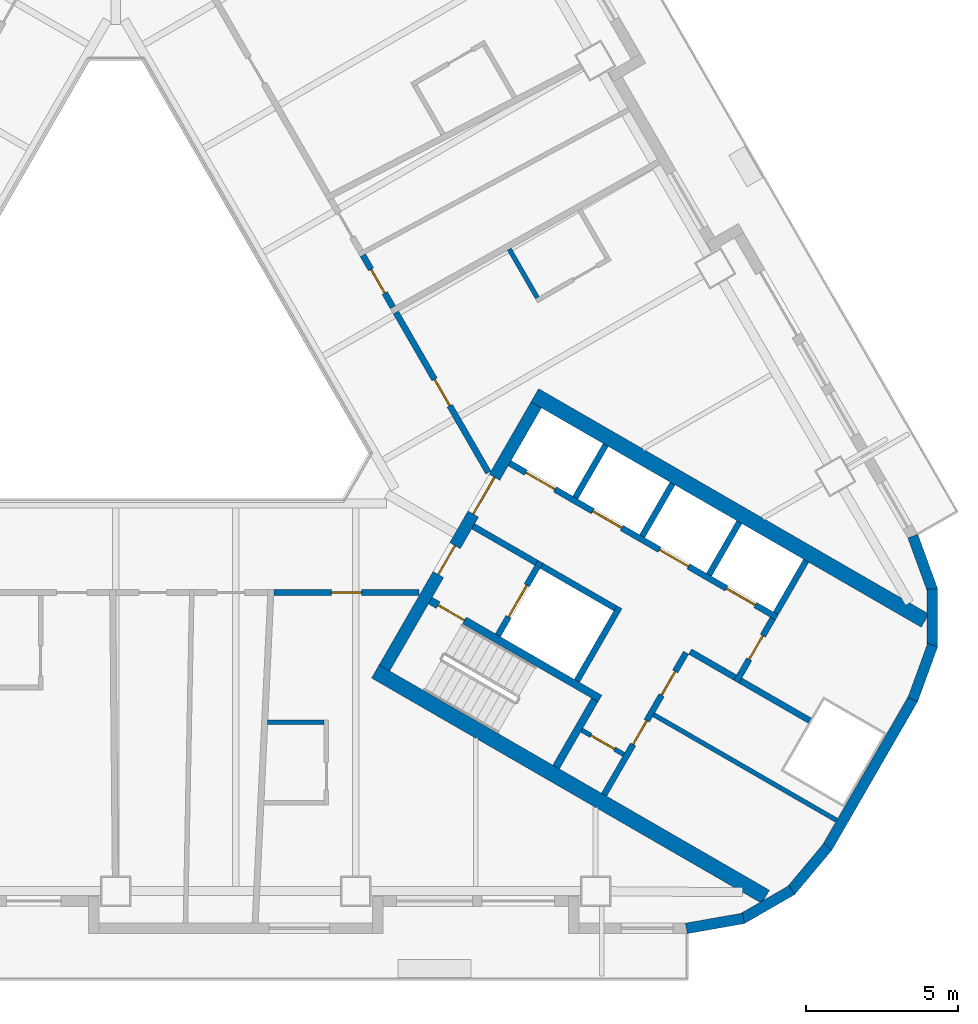
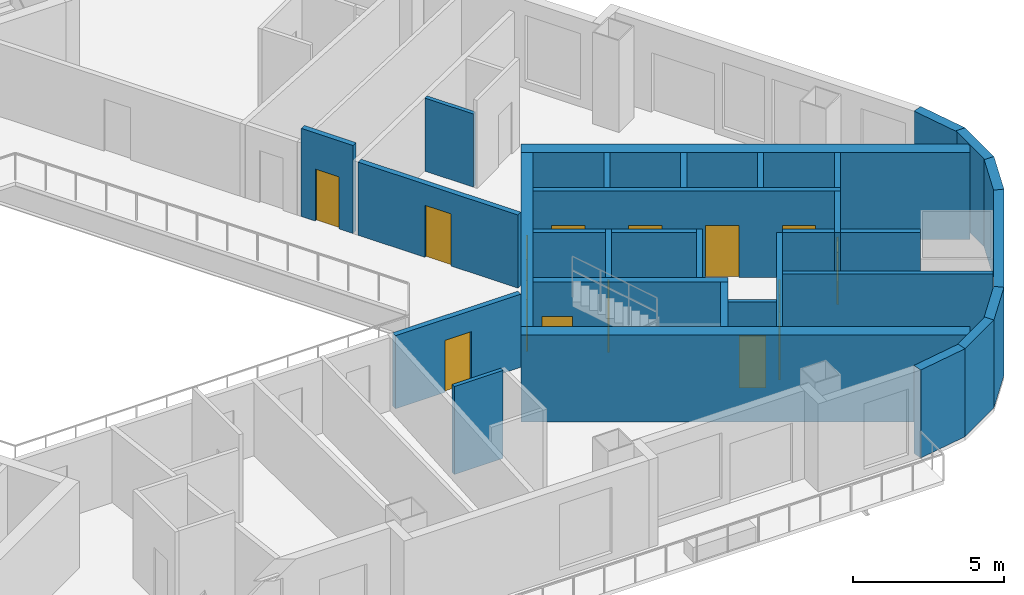
# One storey, part 5 of 14: 32 walls, 15 doors, 15 openings.
"""IFC4 building model written with IfcOpenShell, lengths in metres."""

from ifc_helpers import new_model, si_unit, direction, frame, frame_2d, origin, place, context, subcontext, project, spatial, rectangle, extrude, material, layer, layer_set, type_object, element, fill, save


model = new_model("IFC4")

# Units and contexts
model_context = context("Model", 3, precision=1e-05, world=origin(), true_north=direction((0.0, 1.0)))
body_context = subcontext(model_context, "Body", "Model", "MODEL_VIEW")
ifc_project = project(units=[si_unit("LENGTHUNIT", "METRE"), si_unit("AREAUNIT", "SQUARE_METRE"), si_unit("VOLUMEUNIT", "CUBIC_METRE"), si_unit("PLANEANGLEUNIT", "RADIAN"), si_unit("MASSUNIT", "GRAM", prefix="KILO")], contexts=[model_context])

# Site, building, storey
site_placement = place(None, origin())
site = spatial("IfcSite", under=ifc_project, at=site_placement, CompositionType="ELEMENT")
building_placement = place(site_placement, origin())
building = spatial("IfcBuilding", under=site, at=building_placement, Name="Apuvela Tower Hotel", CompositionType="ELEMENT")
storey_placement = place(building_placement, frame((0.0, 0.0, 72.39990234375)))
storey = spatial("IfcBuildingStorey", under=building, at=storey_placement, Name="L15", CompositionType="ELEMENT", Elevation=72.39990234375)

# Wall, openings, doors
ifc_material_1 = material(Name="Concrete C50/60", Category="concrete")
ifc_layer_1 = layer(ifc_material_1, 0.39990234375)
ifc_layer_set_1 = layer_set([ifc_layer_1], Name="COR-WALL-CORE-400")
wall_type_1 = type_object("IfcWallType", Name="COR-WALL-CORE-400", PredefinedType="SHEAR", material=ifc_layer_set_1)
wall_1_placement = place(storey_placement, frame((8.844970703125, -10.880126953125, 0.0), z_axis=(0.0, 0.0, 1.0), x_axis=(0.500004234368, 0.866022959057, 0.0)))
wall_1 = element("IfcWall", 1, at=wall_1_placement, inside=storey, type_object=wall_type_1, Name="Core wall SE", PredefinedType="SHEAR", context=body_context, shape_type="SweptSolid", body=[
    extrude(rectangle(XDim=10.0, YDim=0.39990234375, at=frame_2d((5.0, 0.0))), origin(), (0.0, 0.0, 1.0), 3.5),
])
opening_1_placement = place(wall_1_placement, frame((3.550048828125, 0.0, 0.0)))
opening_1 = element("IfcOpeningElement", 2, at=opening_1_placement, cuts=wall_1, Name="Opening E-FD", PredefinedType="OPENING", context=body_context, shape_type="SweptSolid", body=[
    extrude(rectangle(XDim=1.10009765625, YDim=2.10009765625, at=frame_2d((0.550048828125, 1.050048828125))), frame((0.0, 0.2099609375, 0.0), z_axis=(0.0, -1.0, 0.0), x_axis=(1.0, 0.0, 0.0)), (0.0, 0.0, 1.0), 0.419921875),
])
opening_2_placement = place(wall_1_placement, frame((5.85009765625, 0.0, 0.0)))
opening_2 = element("IfcOpeningElement", 3, at=opening_2_placement, cuts=wall_1, Name="Opening E-GD", PredefinedType="OPENING", context=body_context, shape_type="SweptSolid", body=[
    extrude(rectangle(XDim=1.39990234375, YDim=2.10009765625, at=frame_2d((0.699951171875, 1.050048828125))), frame((0.0, 0.2099609375, 0.0), z_axis=(0.0, -1.0, 0.0), x_axis=(1.0, 0.0, 0.0)), (0.0, 0.0, 1.0), 0.419921875),
])
ifc_material_2 = material(Name="Steel fire door, powder coated", Category="steel")
door_type_1 = type_object("IfcDoorType", Name="COR-FD-1100", OperationType="NOTDEFINED", PredefinedType="DOOR", material=ifc_material_2)
door_1_placement = place(opening_1_placement, frame((1.10009765625, 0.0, 0.0), z_axis=(0.0, 0.0, 1.0), x_axis=(-1.0, 0.0, 0.0)))
door_1 = element("IfcDoor", 4, at=door_1_placement, inside=storey, type_object=door_type_1, Name="Firefighting lobby door E-FD", OperationType="SINGLE_SWING_LEFT", OverallHeight=2.10009765625, OverallWidth=1.10009765625, PredefinedType="DOOR", context=body_context, shape_type="SweptSolid", body=[
    extrude(rectangle(XDim=1.10009765625, YDim=2.10009765625, at=frame_2d((0.550048828125, 1.050048828125))), frame((0.0, 0.02490234375, 0.0), z_axis=(0.0, -1.0, 0.0), x_axis=(1.0, 0.0, 0.0)), (0.0, 0.0, 1.0), 0.050048828125),
])
fill(opening_1, door_1)
ifc_material_3 = material(Name="Glazed steel fire door", Category="steel")
door_type_2 = type_object("IfcDoorType", Name="COR-GD-1400", OperationType="DOUBLE_DOOR_SINGLE_SWING", PredefinedType="DOOR", material=ifc_material_3)
door_2_placement = place(opening_2_placement, frame((1.39990234375, 0.0, 0.0), z_axis=(0.0, 0.0, 1.0), x_axis=(-1.0, 0.0, 0.0)))
door_2 = element("IfcDoor", 5, at=door_2_placement, inside=storey, type_object=door_type_2, Name="Lift lobby door E-GD", OperationType="DOUBLE_DOOR_SINGLE_SWING", OverallHeight=2.10009765625, OverallWidth=1.39990234375, PredefinedType="DOOR", context=body_context, shape_type="SweptSolid", body=[
    extrude(rectangle(XDim=1.39990234375, YDim=2.10009765625, at=frame_2d((0.699951171875, 1.050048828125))), frame((0.0, 0.02490234375, 0.0), z_axis=(0.0, -1.0, 0.0), x_axis=(1.0, 0.0, 0.0)), (0.0, 0.0, 1.0), 0.050048828125),
])
fill(opening_2, door_2)

# Walls
ifc_layer_2 = layer(ifc_material_1, 0.5)
ifc_layer_set_2 = layer_set([ifc_layer_2], Name="COR-WALL-CORE-500")
wall_type_2 = type_object("IfcWallType", Name="COR-WALL-CORE-500", PredefinedType="SHEAR", material=ifc_layer_set_2)
for number, where, z_axis, x_axis, name in (
    (6, (8.546630859375, -10.99658203125, 0.0), (0.0, 0.0, 1.0), (0.866025009528, -0.500000682871, 0.0), "Core wall SE"),
    (7, (13.796630859375, -1.9033203125, 0.0), (0.0, 0.0, 1.0), (0.866025009528, -0.500000682871, 0.0), "Core wall SE"),
):
    element("IfcWall", number, at=place(storey_placement, frame(where, z_axis=z_axis, x_axis=x_axis)), inside=storey, type_object=wall_type_2, Name=name, PredefinedType="SHEAR", context=body_context, shape_type="SweptSolid", body=[
        extrude(rectangle(XDim=14.8369140625, YDim=0.5, at=frame_2d((7.41845703125, 0.0))), origin(), (0.0, 0.0, 1.0), 3.5),
    ])

# Wall, opening, door
ifc_material_4 = material(Name="Blockwork 150 mm plastered", Category="masonry")
ifc_layer_3 = layer(ifc_material_4, 0.14990234375)
ifc_layer_set_3 = layer_set([ifc_layer_3], Name="COR-WALL-PART-150")
wall_type_3 = type_object("IfcWallType", Name="COR-WALL-PART-150", PredefinedType="PARTITIONING", material=ifc_layer_set_3)
wall_2_placement = place(storey_placement, frame((15.341552734375, -12.927734375, 0.0), z_axis=(0.0, 0.0, 1.0), x_axis=(0.865989903783, -0.500061482766, 0.0)))
wall_2 = element("IfcWall", 8, at=wall_2_placement, inside=storey, type_object=wall_type_3, Name="Partition SE", PredefinedType="PARTITIONING", context=body_context, shape_type="SweptSolid", body=[
    extrude(rectangle(XDim=1.599853515625, YDim=0.14990234375, at=frame_2d((0.7998046875, 0.0))), origin(), (0.0, 0.0, 1.0), 3.5),
])
opening_3_placement = place(wall_2_placement, frame((0.35009765625, 0.0, 0.0)))
opening_3 = element("IfcOpeningElement", 9, at=opening_3_placement, cuts=wall_2, Name="Opening E-RD", PredefinedType="OPENING", context=body_context, shape_type="SweptSolid", body=[
    extrude(rectangle(XDim=0.89990234375, YDim=2.10009765625, at=frame_2d((0.449951171875, 1.050048828125))), frame((0.0, 0.0849609375, 0.0), z_axis=(0.0, -1.0, 0.0), x_axis=(1.0, 0.0, 0.0)), (0.0, 0.0, 1.0), 0.169921875),
])
ifc_material_5 = material(Name="Steel access door, powder coated", Category="steel")
door_type_3 = type_object("IfcDoorType", Name="COR-RD-900", OperationType="NOTDEFINED", PredefinedType="DOOR", material=ifc_material_5)
door_3_placement = place(opening_3_placement, frame((0.89990234375, 0.0, 0.0), z_axis=(0.0, 0.0, 1.0), x_axis=(-1.0, 0.0, 0.0)))
door_3 = element("IfcDoor", 10, at=door_3_placement, inside=storey, type_object=door_type_3, Name="Riser door E-RD", OperationType="SINGLE_SWING_LEFT", OverallHeight=2.10009765625, OverallWidth=0.89990234375, PredefinedType="DOOR", context=body_context, shape_type="SweptSolid", body=[
    extrude(rectangle(XDim=0.89990234375, YDim=2.10009765625, at=frame_2d((0.449951171875, 1.050048828125))), frame((0.0, 0.02490234375, 0.0), z_axis=(0.0, -1.0, 0.0), x_axis=(1.0, 0.0, 0.0)), (0.0, 0.0, 1.0), 0.050048828125),
])
fill(opening_3, door_3)

# Wall
wall_3_placement = place(storey_placement, frame((17.712890625, -12.42041015625, 0.0), z_axis=(0.0, 0.0, 1.0), x_axis=(0.866016523273, -0.500015381182, 0.0)))
element("IfcWall", 11, at=wall_3_placement, inside=storey, type_object=wall_type_3, Name="Partition SE", PredefinedType="PARTITIONING", context=body_context, shape_type="SweptSolid", body=[
    extrude(rectangle(XDim=6.949951171875, YDim=0.14990234375, at=frame_2d((3.47509765625, 0.0))), origin(), (0.0, 0.0, 1.0), 3.5),
])

# Wall, openings, doors
ifc_material_6 = material(Name="Blockwork 200 mm plastered", Category="masonry")
ifc_layer_4 = layer(ifc_material_6, 0.199951171875)
ifc_layer_set_4 = layer_set([ifc_layer_4], Name="COR-WALL-PART-200")
wall_type_4 = type_object("IfcWallType", Name="COR-WALL-PART-200", PredefinedType="PARTITIONING", material=ifc_layer_set_4)
wall_4_placement = place(storey_placement, frame((16.076171875, -15.05517578125, 0.0), z_axis=(0.0, 0.0, 1.0), x_axis=(0.499995103361, 0.866028230842, 0.0)))
wall_4 = element("IfcWall", 12, at=wall_4_placement, inside=storey, type_object=wall_type_4, Name="Partition SE", PredefinedType="PARTITIONING", context=body_context, shape_type="SweptSolid", body=[
    extrude(rectangle(XDim=5.39990234375, YDim=0.199951171875, at=frame_2d((2.699951171875, 0.0))), origin(), (0.0, 0.0, 1.0), 3.5),
])
opening_4_placement = place(wall_4_placement, frame((1.91259765625, 0.0, 0.0)))
opening_4 = element("IfcOpeningElement", 13, at=opening_4_placement, cuts=wall_4, Name="Opening E-RS1", PredefinedType="OPENING", context=body_context, shape_type="SweptSolid", body=[
    extrude(rectangle(XDim=0.89990234375, YDim=2.10009765625, at=frame_2d((0.449951171875, 1.050048828125))), frame((0.0, 0.10986328125, 0.0), z_axis=(0.0, -1.0, 0.0), x_axis=(1.0, 0.0, 0.0)), (0.0, 0.0, 1.0), 0.219970703125),
])
opening_5_placement = place(wall_4_placement, frame((3.78759765625, 0.0, 0.0)))
opening_5 = element("IfcOpeningElement", 14, at=opening_5_placement, cuts=wall_4, Name="Opening E-RS2", PredefinedType="OPENING", context=body_context, shape_type="SweptSolid", body=[
    extrude(rectangle(XDim=0.89990234375, YDim=2.10009765625, at=frame_2d((0.449951171875, 1.050048828125))), frame((0.0, 0.10986328125, 0.0), z_axis=(0.0, -1.0, 0.0), x_axis=(1.0, 0.0, 0.0)), (0.0, 0.0, 1.0), 0.219970703125),
])
door_type_4 = type_object("IfcDoorType", Name="COR-DR-900", OperationType="NOTDEFINED", PredefinedType="DOOR", material=ifc_material_2)
door_4_placement = place(opening_4_placement, frame((0.89990234375, 0.0, 0.0), z_axis=(0.0, 0.0, 1.0), x_axis=(-1.0, 0.0, 0.0)))
door_4 = element("IfcDoor", 15, at=door_4_placement, inside=storey, type_object=door_type_4, Name="Store door E-RS1", OperationType="SINGLE_SWING_LEFT", OverallHeight=2.10009765625, OverallWidth=0.89990234375, PredefinedType="DOOR", context=body_context, shape_type="SweptSolid", body=[
    extrude(rectangle(XDim=0.89990234375, YDim=2.10009765625, at=frame_2d((0.449951171875, 1.050048828125))), frame((0.0, 0.02490234375, 0.0), z_axis=(0.0, -1.0, 0.0), x_axis=(1.0, 0.0, 0.0)), (0.0, 0.0, 1.0), 0.050048828125),
])
fill(opening_4, door_4)
door_5_placement = place(opening_5_placement, frame((0.89990234375, 0.0, 0.0), z_axis=(0.0, 0.0, 1.0), x_axis=(-1.0, 0.0, 0.0)))
door_5 = element("IfcDoor", 16, at=door_5_placement, inside=storey, type_object=door_type_4, Name="Store door E-RS2", OperationType="SINGLE_SWING_LEFT", OverallHeight=2.10009765625, OverallWidth=0.89990234375, PredefinedType="DOOR", context=body_context, shape_type="SweptSolid", body=[
    extrude(rectangle(XDim=0.89990234375, YDim=2.10009765625, at=frame_2d((0.449951171875, 1.050048828125))), frame((0.0, 0.02490234375, 0.0), z_axis=(0.0, -1.0, 0.0), x_axis=(1.0, 0.0, 0.0)), (0.0, 0.0, 1.0), 0.050048828125),
])
fill(opening_5, door_5)

# Wall
ifc_layer_5 = layer(ifc_material_1, 0.199951171875)
ifc_layer_set_5 = layer_set([ifc_layer_5], Name="COR-WALL-SHAFT-200")
wall_type_5 = type_object("IfcWallType", Name="COR-WALL-SHAFT-200", PredefinedType="SHEAR", material=ifc_layer_set_5)
wall_5_placement = place(storey_placement, frame((15.181396484375, -11.305419921875, 0.0), z_axis=(0.0, 0.0, 1.0), x_axis=(0.49994636267, 0.866056369097, 0.0)))
element("IfcWall", 17, at=wall_5_placement, inside=storey, type_object=wall_type_5, Name="Shaft wall SE", PredefinedType="SHEAR", context=body_context, shape_type="SweptSolid", body=[
    extrude(rectangle(XDim=2.800048828125, YDim=0.199951171875, at=frame_2d((1.39990234375, 0.0))), origin(), (0.0, 0.0, 1.0), 3.5),
])

# Wall, opening, door
wall_6_placement = place(storey_placement, frame((12.583251953125, -9.805419921875, 0.0), z_axis=(0.0, 0.0, 1.0), x_axis=(0.49994636267, 0.866056369097, 0.0)))
wall_6 = element("IfcWall", 18, at=wall_6_placement, inside=storey, type_object=wall_type_5, Name="Shaft wall SE", PredefinedType="SHEAR", context=body_context, shape_type="SweptSolid", body=[
    extrude(rectangle(XDim=2.800048828125, YDim=0.199951171875, at=frame_2d((1.39990234375, 0.0))), origin(), (0.0, 0.0, 1.0), 3.5),
])
opening_6_placement = place(wall_6_placement, frame((0.699951171875, 0.0, 0.0)))
opening_6 = element("IfcOpeningElement", 19, at=opening_6_placement, cuts=wall_6, Name="Opening E-LD-FS3", PredefinedType="OPENING", context=body_context, shape_type="SweptSolid", body=[
    extrude(rectangle(XDim=1.199951171875, YDim=2.10009765625, at=frame_2d((0.60009765625, 1.050048828125))), frame((0.0, 0.10986328125, 0.0), z_axis=(0.0, -1.0, 0.0), x_axis=(1.0, 0.0, 0.0)), (0.0, 0.0, 1.0), 0.219970703125),
])
ifc_material_7 = material(Name="Stainless steel lift landing door", Category="steel")
door_type_5 = type_object("IfcDoorType", Name="COR-LD-1200", OperationType="DOUBLE_DOOR_SLIDING", PredefinedType="DOOR", material=ifc_material_7)
door_6_placement = place(opening_6_placement, origin())
door_6 = element("IfcDoor", 20, at=door_6_placement, inside=storey, type_object=door_type_5, Name="Lift landing door E-LD-FS3", OperationType="DOUBLE_DOOR_SLIDING", OverallHeight=2.10009765625, OverallWidth=1.199951171875, PredefinedType="DOOR", context=body_context, shape_type="SweptSolid", body=[
    extrude(rectangle(XDim=1.199951171875, YDim=2.10009765625, at=frame_2d((0.60009765625, 1.050048828125))), frame((0.0, 0.02490234375, 0.0), z_axis=(0.0, -1.0, 0.0), x_axis=(1.0, 0.0, 0.0)), (0.0, 0.0, 1.0), 0.050048828125),
])
fill(opening_6, door_6)

# Walls
wall_7_placement = place(storey_placement, frame((11.76806640625, -6.217041015625, 0.0), z_axis=(0.0, 0.0, 1.0), x_axis=(0.866050077142, -0.499957262057, 0.0)))
element("IfcWall", 21, at=wall_7_placement, inside=storey, type_object=wall_type_5, Name="Shaft wall SE", PredefinedType="SHEAR", context=body_context, shape_type="SweptSolid", body=[
    extrude(rectangle(XDim=2.400146484375, YDim=0.199951171875, at=frame_2d((1.2001953125, 0.0))), origin(), (0.0, 0.0, 1.0), 3.5),
])
wall_8_placement = place(storey_placement, frame((14.019775390625, -7.51708984375, 0.0), z_axis=(0.0, 0.0, 1.0), x_axis=(0.866034573852, -0.49998411664, 0.0)))
element("IfcWall", 22, at=wall_8_placement, inside=storey, type_object=wall_type_5, Name="Shaft wall SE", PredefinedType="SHEAR", context=body_context, shape_type="SweptSolid", body=[
    extrude(rectangle(XDim=2.7998046875, YDim=0.199951171875, at=frame_2d((1.39990234375, 0.0))), origin(), (0.0, 0.0, 1.0), 3.5),
])

# Wall, openings, doors
wall_9_placement = place(storey_placement, frame((12.968017578125, -4.138427734375, 0.0), z_axis=(0.0, 0.0, 1.0), x_axis=(0.866028328073, -0.49999493495, 0.0)))
wall_9 = element("IfcWall", 23, at=wall_9_placement, inside=storey, type_object=wall_type_5, Name="Shaft wall SE", PredefinedType="SHEAR", context=body_context, shape_type="SweptSolid", body=[
    extrude(rectangle(XDim=10.16015625, YDim=0.199951171875, at=frame_2d((5.080078125, 0.0))), origin(), (0.0, 0.0, 1.0), 3.5),
])
opening_7_placement = place(wall_9_placement, frame((0.6201171875, 0.0, 0.0)))
opening_7 = element("IfcOpeningElement", 24, at=opening_7_placement, cuts=wall_9, Name="Opening E-LD-LR1", PredefinedType="OPENING", context=body_context, shape_type="SweptSolid", body=[
    extrude(rectangle(XDim=1.10009765625, YDim=2.10009765625, at=frame_2d((0.550048828125, 1.050048828125))), frame((0.0, 0.10986328125, 0.0), z_axis=(0.0, -1.0, 0.0), x_axis=(1.0, 0.0, 0.0)), (0.0, 0.0, 1.0), 0.219970703125),
])
opening_8_placement = place(wall_9_placement, frame((3.159912109375, 0.0, 0.0)))
opening_8 = element("IfcOpeningElement", 25, at=opening_8_placement, cuts=wall_9, Name="Opening E-LD-LR2", PredefinedType="OPENING", context=body_context, shape_type="SweptSolid", body=[
    extrude(rectangle(XDim=1.10009765625, YDim=2.10009765625, at=frame_2d((0.550048828125, 1.050048828125))), frame((0.0, 0.10986328125, 0.0), z_axis=(0.0, -1.0, 0.0), x_axis=(1.0, 0.0, 0.0)), (0.0, 0.0, 1.0), 0.219970703125),
])
opening_9_placement = place(wall_9_placement, frame((5.699951171875, 0.0, 0.0)))
opening_9 = element("IfcOpeningElement", 26, at=opening_9_placement, cuts=wall_9, Name="Opening E-LD-LR3", PredefinedType="OPENING", context=body_context, shape_type="SweptSolid", body=[
    extrude(rectangle(XDim=1.10009765625, YDim=2.10009765625, at=frame_2d((0.550048828125, 1.050048828125))), frame((0.0, 0.10986328125, 0.0), z_axis=(0.0, -1.0, 0.0), x_axis=(1.0, 0.0, 0.0)), (0.0, 0.0, 1.0), 0.219970703125),
])
opening_10_placement = place(wall_9_placement, frame((8.239990234375, 0.0, 0.0)))
opening_10 = element("IfcOpeningElement", 27, at=opening_10_placement, cuts=wall_9, Name="Opening E-LD-LR4", PredefinedType="OPENING", context=body_context, shape_type="SweptSolid", body=[
    extrude(rectangle(XDim=1.10009765625, YDim=2.10009765625, at=frame_2d((0.550048828125, 1.050048828125))), frame((0.0, 0.10986328125, 0.0), z_axis=(0.0, -1.0, 0.0), x_axis=(1.0, 0.0, 0.0)), (0.0, 0.0, 1.0), 0.219970703125),
])
door_type_6 = type_object("IfcDoorType", Name="COR-LD-1100", OperationType="DOUBLE_DOOR_SLIDING", PredefinedType="DOOR", material=ifc_material_7)
door_7_placement = place(opening_7_placement, origin())
door_7 = element("IfcDoor", 28, at=door_7_placement, inside=storey, type_object=door_type_6, Name="Lift landing door E-LD-LR1", OperationType="DOUBLE_DOOR_SLIDING", OverallHeight=2.10009765625, OverallWidth=1.10009765625, PredefinedType="DOOR", context=body_context, shape_type="SweptSolid", body=[
    extrude(rectangle(XDim=1.10009765625, YDim=2.10009765625, at=frame_2d((0.550048828125, 1.050048828125))), frame((0.0, 0.02490234375, 0.0), z_axis=(0.0, -1.0, 0.0), x_axis=(1.0, 0.0, 0.0)), (0.0, 0.0, 1.0), 0.050048828125),
])
fill(opening_7, door_7)
door_8_placement = place(opening_8_placement, origin())
door_8 = element("IfcDoor", 29, at=door_8_placement, inside=storey, type_object=door_type_6, Name="Lift landing door E-LD-LR2", OperationType="DOUBLE_DOOR_SLIDING", OverallHeight=2.10009765625, OverallWidth=1.10009765625, PredefinedType="DOOR", context=body_context, shape_type="SweptSolid", body=[
    extrude(rectangle(XDim=1.10009765625, YDim=2.10009765625, at=frame_2d((0.550048828125, 1.050048828125))), frame((0.0, 0.02490234375, 0.0), z_axis=(0.0, -1.0, 0.0), x_axis=(1.0, 0.0, 0.0)), (0.0, 0.0, 1.0), 0.050048828125),
])
fill(opening_8, door_8)
door_9_placement = place(opening_9_placement, origin())
door_9 = element("IfcDoor", 30, at=door_9_placement, inside=storey, type_object=door_type_6, Name="Lift landing door E-LD-LR3", OperationType="DOUBLE_DOOR_SLIDING", OverallHeight=2.10009765625, OverallWidth=1.10009765625, PredefinedType="DOOR", context=body_context, shape_type="SweptSolid", body=[
    extrude(rectangle(XDim=1.10009765625, YDim=2.10009765625, at=frame_2d((0.550048828125, 1.050048828125))), frame((0.0, 0.02490234375, 0.0), z_axis=(0.0, -1.0, 0.0), x_axis=(1.0, 0.0, 0.0)), (0.0, 0.0, 1.0), 0.050048828125),
])
fill(opening_9, door_9)
door_10_placement = place(opening_10_placement, origin())
door_10 = element("IfcDoor", 31, at=door_10_placement, inside=storey, type_object=door_type_6, Name="Lift landing door E-LD-LR4", OperationType="DOUBLE_DOOR_SLIDING", OverallHeight=2.10009765625, OverallWidth=1.10009765625, PredefinedType="DOOR", context=body_context, shape_type="SweptSolid", body=[
    extrude(rectangle(XDim=1.10009765625, YDim=2.10009765625, at=frame_2d((0.550048828125, 1.050048828125))), frame((0.0, 0.02490234375, 0.0), z_axis=(0.0, -1.0, 0.0), x_axis=(1.0, 0.0, 0.0)), (0.0, 0.0, 1.0), 0.050048828125),
])
fill(opening_10, door_10)

# Wall, opening, door
wall_10_placement = place(storey_placement, frame((20.430419921875, -11.33349609375, 0.0), z_axis=(0.0, 0.0, 1.0), x_axis=(0.500001309137, 0.866024647952, 0.0)))
wall_10 = element("IfcWall", 32, at=wall_10_placement, inside=storey, type_object=wall_type_5, Name="Shaft wall SE", PredefinedType="SHEAR", context=body_context, shape_type="SweptSolid", body=[
    extrude(rectangle(XDim=2.39990234375, YDim=0.199951171875, at=frame_2d((1.199951171875, 0.0))), origin(), (0.0, 0.0, 1.0), 3.5),
])
opening_11_placement = place(wall_10_placement, frame((0.85009765625, 0.0, 0.0)))
opening_11 = element("IfcOpeningElement", 33, at=opening_11_placement, cuts=wall_10, Name="Opening E-REP", PredefinedType="OPENING", context=body_context, shape_type="SweptSolid", body=[
    extrude(rectangle(XDim=0.89990234375, YDim=2.10009765625, at=frame_2d((0.449951171875, 1.050048828125))), frame((0.0, 0.10986328125, 0.0), z_axis=(0.0, -1.0, 0.0), x_axis=(1.0, 0.0, 0.0)), (0.0, 0.0, 1.0), 0.219970703125),
])
door_11_placement = place(opening_11_placement, frame((0.89990234375, 0.0, 0.0), z_axis=(0.0, 0.0, 1.0), x_axis=(-1.0, 0.0, 0.0)))
door_11 = element("IfcDoor", 34, at=door_11_placement, inside=storey, type_object=door_type_4, Name="Store door E-REP", OperationType="SINGLE_SWING_RIGHT", OverallHeight=2.10009765625, OverallWidth=0.89990234375, PredefinedType="DOOR", context=body_context, shape_type="SweptSolid", body=[
    extrude(rectangle(XDim=0.89990234375, YDim=2.10009765625, at=frame_2d((0.449951171875, 1.050048828125))), frame((0.0, 0.02490234375, 0.0), z_axis=(0.0, -1.0, 0.0), x_axis=(1.0, 0.0, 0.0)), (0.0, 0.0, 1.0), 0.050048828125),
])
fill(opening_11, door_11)

# Walls
wall_11_placement = place(storey_placement, frame((18.912841796875, -10.342041015625, 0.0), z_axis=(0.0, 0.0, 1.0), x_axis=(0.866038183914, -0.499977863513, 0.0)))
element("IfcWall", 35, at=wall_11_placement, inside=storey, type_object=wall_type_5, Name="Shaft wall SE", PredefinedType="SHEAR", context=body_context, shape_type="SweptSolid", body=[
    extrude(rectangle(XDim=1.7099609375, YDim=0.199951171875, at=frame_2d((0.85498046875, 0.0))), origin(), (0.0, 0.0, 1.0), 3.5),
])
for number, where, z_axis, x_axis, name in (
    (36, (15.131103515625, -5.27197265625, 0.0), (0.0, 0.0, 1.0), (0.499972520799, 0.866041268327, 0.0), "Shaft wall SE"),
    (37, (17.330810546875, -6.5419921875, 0.0), (0.0, 0.0, 1.0), (0.499972520799, 0.866041268327, 0.0), "Shaft wall SE"),
    (38, (19.530517578125, -7.81201171875, 0.0), (0.0, 0.0, 1.0), (0.499972520799, 0.866041268327, 0.0), "Shaft wall SE"),
    (39, (21.73046875, -9.081787109375, 0.0), (0.0, 0.0, 1.0), (0.50002537861, 0.866010750942, 0.0), "Shaft wall SE"),
):
    element("IfcWall", number, at=place(storey_placement, frame(where, z_axis=z_axis, x_axis=x_axis)), inside=storey, type_object=wall_type_5, Name=name, PredefinedType="SHEAR", context=body_context, shape_type="SweptSolid", body=[
        extrude(rectangle(XDim=2.0, YDim=0.199951171875, at=frame_2d((1.0, 0.0))), origin(), (0.0, 0.0, 1.0), 3.5),
    ])
wall_12_placement = place(storey_placement, frame((20.56689453125, -11.297119140625, 0.0), z_axis=(0.0, 0.0, 1.0), x_axis=(0.866060851709, -0.499938597367, 0.0)))
element("IfcWall", 40, at=wall_12_placement, inside=storey, type_object=wall_type_5, Name="Shaft wall SE", PredefinedType="SHEAR", context=body_context, shape_type="SweptSolid", body=[
    extrude(rectangle(XDim=2.639892578125, YDim=0.199951171875, at=frame_2d((1.31982421875, 0.0))), origin(), (0.0, 0.0, 1.0), 3.5),
])

# Wall, opening, door
ifc_layer_6 = layer(ifc_material_1, 0.25)
ifc_layer_set_6 = layer_set([ifc_layer_6], Name="COR-WALL-STAIR-250")
wall_type_6 = type_object("IfcWallType", Name="COR-WALL-STAIR-250", PredefinedType="SHEAR", material=ifc_layer_set_6)
wall_13_placement = place(storey_placement, frame((10.355712890625, -8.66357421875, 0.0), z_axis=(0.0, 0.0, 1.0), x_axis=(0.866028629588, -0.499994412703, 0.0)))
wall_13 = element("IfcWall", 41, at=wall_13_placement, inside=storey, type_object=wall_type_6, Name="Stair wall SE", PredefinedType="SHEAR", context=body_context, shape_type="SweptSolid", body=[
    extrude(rectangle(XDim=6.44970703125, YDim=0.25, at=frame_2d((3.224853515625, 0.0))), origin(), (0.0, 0.0, 1.0), 3.5),
])
opening_12_placement = place(wall_13_placement, frame((0.300048828125, 0.0, 0.0)))
opening_12 = element("IfcOpeningElement", 42, at=opening_12_placement, cuts=wall_13, Name="Opening E-SD", PredefinedType="OPENING", context=body_context, shape_type="SweptSolid", body=[
    extrude(rectangle(XDim=1.0, YDim=2.10009765625, at=frame_2d((0.5, 1.050048828125))), frame((0.0, 0.135009765625, 0.0), z_axis=(0.0, -1.0, 0.0), x_axis=(1.0, 0.0, 0.0)), (0.0, 0.0, 1.0), 0.27001953125),
])
door_type_7 = type_object("IfcDoorType", Name="COR-SD-1000", OperationType="NOTDEFINED", PredefinedType="DOOR", material=ifc_material_2)
door_12_placement = place(opening_12_placement, frame((1.0, 0.0, 0.0), z_axis=(0.0, 0.0, 1.0), x_axis=(-1.0, 0.0, 0.0)))
door_12 = element("IfcDoor", 43, at=door_12_placement, inside=storey, type_object=door_type_7, Name="Stair door E-SD", OperationType="SINGLE_SWING_LEFT", OverallHeight=2.10009765625, OverallWidth=1.0, PredefinedType="DOOR", context=body_context, shape_type="SweptSolid", body=[
    extrude(rectangle(XDim=1.0, YDim=2.10009765625, at=frame_2d((0.5, 1.050048828125))), frame((0.0, 0.02490234375, 0.0), z_axis=(0.0, -1.0, 0.0), x_axis=(1.0, 0.0, 0.0)), (0.0, 0.0, 1.0), 0.050048828125),
])
fill(opening_12, door_12)

# Walls
wall_14_placement = place(storey_placement, frame((14.49560546875, -14.142578125, 0.0), z_axis=(0.0, 0.0, 1.0), x_axis=(0.500062241894, 0.865989465428, 0.0)))
element("IfcWall", 44, at=wall_14_placement, inside=storey, type_object=wall_type_6, Name="Stair wall SE", PredefinedType="SHEAR", context=body_context, shape_type="SweptSolid", body=[
    extrude(rectangle(XDim=2.550048828125, YDim=0.25, at=frame_2d((1.27490234375, 0.0))), origin(), (0.0, 0.0, 1.0), 3.5),
])
ifc_material_8 = material(Name="Concrete C40/50, dark pigmented precast panel", Category="concrete")
ifc_layer_7 = layer(ifc_material_8, 0.35009765625)
ifc_layer_set_7 = layer_set([ifc_layer_7], Name="ENV-WALL-350")
wall_type_7 = type_object("IfcWallType", Name="ENV-WALL-350", PredefinedType="SOLIDWALL", material=ifc_layer_set_7)
wall_15_placement = place(storey_placement, frame((18.785400390625, -19.457763671875, 0.0), z_axis=(0.0, 0.0, 1.0), x_axis=(0.984798995425, 0.173697837091, 0.0)))
element("IfcWall", 45, at=wall_15_placement, inside=storey, type_object=wall_type_7, Name="External wall L15-26", PredefinedType="SOLIDWALL", context=body_context, shape_type="SweptSolid", body=[
    extrude(rectangle(XDim=1.91015625, YDim=0.35009765625, at=frame_2d((0.955078125, 0.0))), origin(), (0.0, 0.0, 1.0), 3.550048828125),
])
for number, where, z_axis, x_axis, name in (
    (46, (20.609619140625, -19.146728515625, 0.0), (0.0, 0.0, 1.0), (0.866000389056, 0.500043324278, 0.0), "External wall L15-27"),
    (47, (22.21728515625, -18.230712890625, 0.0), (0.0, 0.0, 1.0), (0.642733291068, 0.76609001857, 0.0), "External wall L15-28"),
):
    element("IfcWall", number, at=place(storey_placement, frame(where, z_axis=z_axis, x_axis=x_axis)), inside=storey, type_object=wall_type_7, Name=name, PredefinedType="SOLIDWALL", context=body_context, shape_type="SweptSolid", body=[
        extrude(rectangle(XDim=1.909912109375, YDim=0.35009765625, at=frame_2d((0.955078125, 0.0))), origin(), (0.0, 0.0, 1.0), 3.550048828125),
    ])
wall_16_placement = place(storey_placement, frame((23.427490234375, -16.79248046875, 0.0), z_axis=(0.0, 0.0, 1.0), x_axis=(0.500018773155, 0.866014564827, 0.0)))
element("IfcWall", 48, at=wall_16_placement, inside=storey, type_object=wall_type_7, Name="External wall L15-29", PredefinedType="SOLIDWALL", context=body_context, shape_type="SweptSolid", body=[
    extrude(rectangle(XDim=5.657958984375, YDim=0.35009765625, at=frame_2d((2.8291015625, 0.0))), origin(), (0.0, 0.0, 1.0), 3.550048828125),
])
for number, where, z_axis, x_axis, name in (
    (49, (26.24365234375, -11.920166015625, 0.0), (0.0, 0.0, 1.0), (0.342030395486, 0.939688889242, 0.0), "External wall L15-30"),
    (50, (26.88623046875, -10.18505859375, 0.0), (0.0, 0.0, 1.0), (0.0, 1.0, 0.0), "External wall L15-31"),
    (51, (26.89697265625, -8.334716796875, 0.0), (0.0, 0.0, 1.0), (-0.342030395486, 0.939688889242, 0.0), "External wall L15-32"),
):
    element("IfcWall", number, at=place(storey_placement, frame(where, z_axis=z_axis, x_axis=x_axis)), inside=storey, type_object=wall_type_7, Name=name, PredefinedType="SOLIDWALL", context=body_context, shape_type="SweptSolid", body=[
        extrude(rectangle(XDim=1.91015625, YDim=0.35009765625, at=frame_2d((0.955078125, 0.0))), origin(), (0.0, 0.0, 1.0), 3.550048828125),
    ])

# Wall, opening, door
ifc_material_9 = material(Name="Gypsum board corridor wall on twin steel stud, acoustic", Category="steel")
ifc_layer_8 = layer(ifc_material_9, 0.199951171875)
ifc_layer_set_8 = layer_set([ifc_layer_8], Name="GST-PW2")
wall_type_8 = type_object("IfcWallType", Name="GST-PW2", PredefinedType="PARTITIONING", material=ifc_layer_set_8)
wall_17_placement = place(storey_placement, frame((9.98828125, -8.39990234375, 0.0), z_axis=(0.0, 0.0, 1.0), x_axis=(-1.0, 0.0, 0.0)))
wall_17 = element("IfcWall", 52, at=wall_17_placement, inside=storey, type_object=wall_type_8, Name="L15 partition 19", PredefinedType="PARTITIONING", context=body_context, shape_type="SweptSolid", body=[
    extrude(rectangle(XDim=4.783447265625, YDim=0.199951171875, at=frame_2d((2.3916015625, 0.0))), origin(), (0.0, 0.0, 1.0), 2.9501953125),
])
opening_13_placement = place(wall_17_placement, frame((1.8916015625, 0.0, 0.0)))
opening_13 = element("IfcOpeningElement", 53, at=opening_13_placement, cuts=wall_17, Name="Opening GD04-08", PredefinedType="OPENING", context=body_context, shape_type="SweptSolid", body=[
    extrude(rectangle(XDim=1.0, YDim=2.10009765625, at=frame_2d((0.5, 1.050048828125))), frame((0.0, 0.10986328125, 0.0), z_axis=(0.0, -1.0, 0.0), x_axis=(1.0, 0.0, 0.0)), (0.0, 0.0, 1.0), 0.219970703125),
])
ifc_material_10 = material(Name="Timber door leaf in steel frame", Category="steel")
door_type_8 = type_object("IfcDoorType", Name="GST-D1", OperationType="NOTDEFINED", PredefinedType="DOOR", material=ifc_material_10)
door_13_placement = place(opening_13_placement, origin())
door_13 = element("IfcDoor", 54, at=door_13_placement, inside=storey, type_object=door_type_8, Name="Door L15-08", OperationType="SINGLE_SWING_RIGHT", OverallHeight=2.10009765625, OverallWidth=1.0, PredefinedType="DOOR", context=body_context, shape_type="SweptSolid", body=[
    extrude(rectangle(XDim=1.0, YDim=2.10009765625, at=frame_2d((0.5, 1.050048828125))), frame((0.0, 0.02490234375, 0.0), z_axis=(0.0, -1.0, 0.0), x_axis=(1.0, 0.0, 0.0)), (0.0, 0.0, 1.0), 0.050048828125),
])
fill(opening_13, door_13)

wall_18_placement = place(storey_placement, frame((9.223876953125, 0.82373046875, 0.0), z_axis=(0.0, 0.0, 1.0), x_axis=(0.500019749946, -0.866014000848, 0.0)))
wall_18 = element("IfcWall", 55, at=wall_18_placement, inside=storey, type_object=wall_type_8, Name="L15 partition 23", PredefinedType="PARTITIONING", context=body_context, shape_type="SweptSolid", body=[
    extrude(rectangle(XDim=6.089599609375, YDim=0.199951171875, at=frame_2d((3.044921875, 0.0))), origin(), (0.0, 0.0, 1.0), 2.9501953125),
])
opening_14_placement = place(wall_18_placement, frame((2.544921875, 0.0, 0.0)))
opening_14 = element("IfcOpeningElement", 56, at=opening_14_placement, cuts=wall_18, Name="Opening GD04-10", PredefinedType="OPENING", context=body_context, shape_type="SweptSolid", body=[
    extrude(rectangle(XDim=1.0, YDim=2.10009765625, at=frame_2d((0.5, 1.050048828125))), frame((0.0, 0.10986328125, 0.0), z_axis=(0.0, -1.0, 0.0), x_axis=(1.0, 0.0, 0.0)), (0.0, 0.0, 1.0), 0.219970703125),
])
door_14_placement = place(opening_14_placement, origin())
door_14 = element("IfcDoor", 57, at=door_14_placement, inside=storey, type_object=door_type_8, Name="Door L15-10", OperationType="SINGLE_SWING_LEFT", OverallHeight=2.10009765625, OverallWidth=1.0, PredefinedType="DOOR", context=body_context, shape_type="SweptSolid", body=[
    extrude(rectangle(XDim=1.0, YDim=2.10009765625, at=frame_2d((0.5, 1.050048828125))), frame((0.0, 0.02490234375, 0.0), z_axis=(0.0, -1.0, 0.0), x_axis=(1.0, 0.0, 0.0)), (0.0, 0.0, 1.0), 0.050048828125),
])
fill(opening_14, door_14)

wall_19_placement = place(storey_placement, frame((8.135498046875, 2.708740234375, 0.0), z_axis=(0.0, 0.0, 1.0), x_axis=(0.499964791386, -0.866045730533, 0.0)))
wall_19 = element("IfcWall", 58, at=wall_19_placement, inside=storey, type_object=wall_type_8, Name="L15 partition 28", PredefinedType="PARTITIONING", context=body_context, shape_type="SweptSolid", body=[
    extrude(rectangle(XDim=1.976806640625, YDim=0.199951171875, at=frame_2d((0.98828125, 0.0))), origin(), (0.0, 0.0, 1.0), 3.550048828125),
])
opening_15_placement = place(wall_19_placement, frame((0.538330078125, 0.0, 0.0)))
opening_15 = element("IfcOpeningElement", 59, at=opening_15_placement, cuts=wall_19, Name="Opening GD04-11", PredefinedType="OPENING", context=body_context, shape_type="SweptSolid", body=[
    extrude(rectangle(XDim=0.89990234375, YDim=2.10009765625, at=frame_2d((0.449951171875, 1.050048828125))), frame((0.0, 0.10986328125, 0.0), z_axis=(0.0, -1.0, 0.0), x_axis=(1.0, 0.0, 0.0)), (0.0, 0.0, 1.0), 0.219970703125),
])
door_type_9 = type_object("IfcDoorType", Name="GST-D2", OperationType="NOTDEFINED", PredefinedType="DOOR", material=ifc_material_10)
door_15_placement = place(opening_15_placement, origin())
door_15 = element("IfcDoor", 60, at=door_15_placement, inside=storey, type_object=door_type_9, Name="Door L15-11", OperationType="SINGLE_SWING_LEFT", OverallHeight=2.10009765625, OverallWidth=0.89990234375, PredefinedType="DOOR", context=body_context, shape_type="SweptSolid", body=[
    extrude(rectangle(XDim=0.89990234375, YDim=2.10009765625, at=frame_2d((0.449951171875, 1.050048828125))), frame((0.0, 0.02490234375, 0.0), z_axis=(0.0, -1.0, 0.0), x_axis=(1.0, 0.0, 0.0)), (0.0, 0.0, 1.0), 0.050048828125),
])
fill(opening_15, door_15)

# Walls
ifc_material_11 = material(Name="Moisture-resistant gypsum board wet wall on steel stud", Category="steel")
ifc_layer_9 = layer(ifc_material_11, 0.14990234375)
ifc_layer_set_9 = layer_set([ifc_layer_9], Name="GST-PW3")
wall_type_9 = type_object("IfcWallType", Name="GST-PW3", PredefinedType="PARTITIONING", material=ifc_layer_set_9)
wall_20_placement = place(storey_placement, frame((5.002685546875, -12.675048828125, 0.0), z_axis=(0.0, 0.0, 1.0), x_axis=(1.0, 0.0, 0.0)))
element("IfcWall", 61, at=wall_20_placement, inside=storey, type_object=wall_type_9, Name="L15 partition 22", PredefinedType="PARTITIONING", context=body_context, shape_type="SweptSolid", body=[
    extrude(rectangle(XDim=1.853515625, YDim=0.14990234375, at=frame_2d((0.9267578125, 0.0))), origin(), (0.0, 0.0, 1.0), 3.550048828125),
])
wall_21_placement = place(storey_placement, frame((13.88037109375, 1.308349609375, 0.0), z_axis=(0.0, 0.0, 1.0), x_axis=(-0.500015802937, 0.866016279763, 0.0)))
element("IfcWall", 62, at=wall_21_placement, inside=storey, type_object=wall_type_9, Name="L15 partition 26", PredefinedType="PARTITIONING", context=body_context, shape_type="SweptSolid", body=[
    extrude(rectangle(XDim=1.84912109375, YDim=0.14990234375, at=frame_2d((0.924560546875, 0.0))), origin(), (0.0, 0.0, 1.0), 2.9501953125),
])

save(model, "model.ifc")
